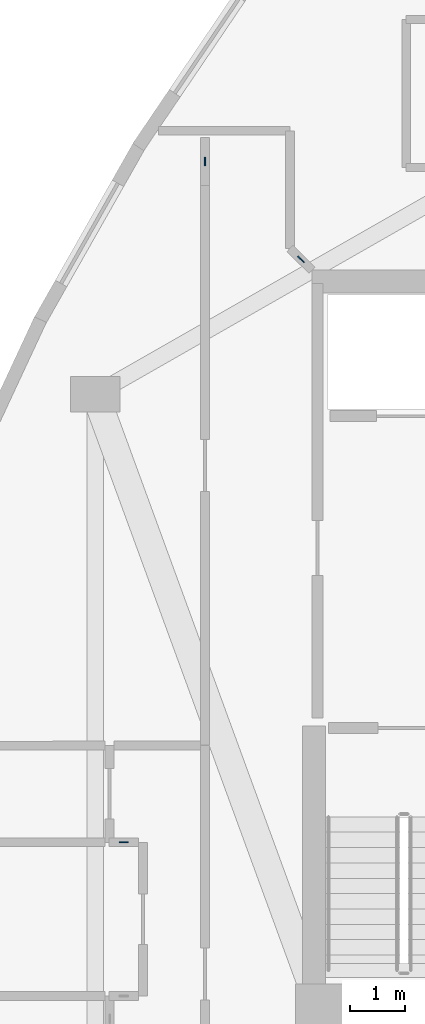
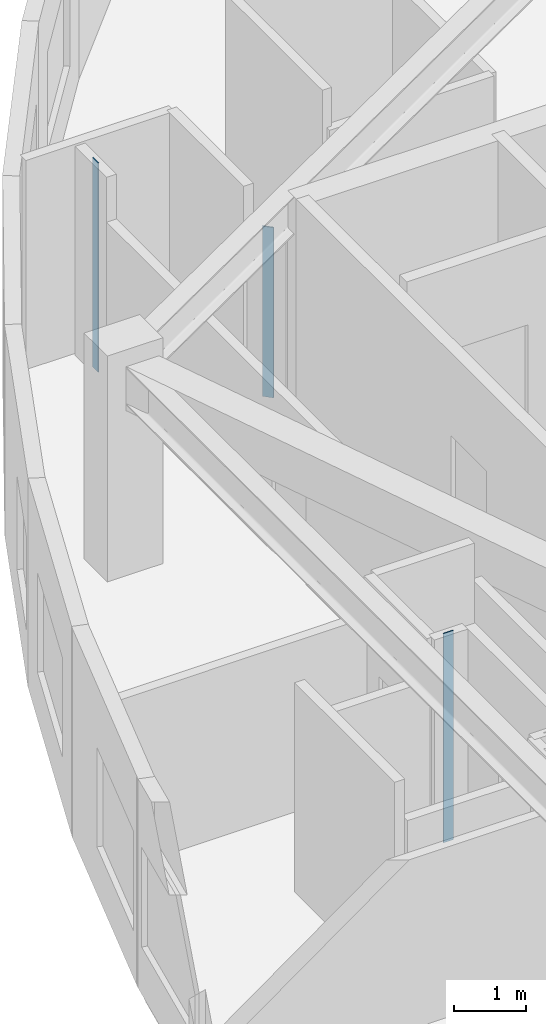
# One storey, part 4 of 13: 3 plates.
"""IFC4 building model written with IfcOpenShell, lengths in metres."""

from ifc_helpers import new_model, si_unit, direction, frame, origin, origin_2d, place, context, subcontext, project, spatial, rectangle, extrude, material, layer, layer_set, type_object, element, save


model = new_model("IFC4")

# Units and contexts
model_context = context("Model", 3, precision=1e-05, world=origin(), true_north=direction((0.0, 1.0)))
body_context = subcontext(model_context, "Body", "Model", "MODEL_VIEW")
ifc_project = project(units=[si_unit("LENGTHUNIT", "METRE"), si_unit("AREAUNIT", "SQUARE_METRE"), si_unit("VOLUMEUNIT", "CUBIC_METRE"), si_unit("PLANEANGLEUNIT", "RADIAN"), si_unit("MASSUNIT", "GRAM", prefix="KILO")], contexts=[model_context])

# Site, building, storey
site_placement = place(None, origin())
site = spatial("IfcSite", under=ifc_project, at=site_placement, CompositionType="ELEMENT")
building_placement = place(site_placement, origin())
building = spatial("IfcBuilding", under=site, at=building_placement, Name="Miruveldt Soraemaru", CompositionType="ELEMENT")
storey_placement = place(building_placement, frame((0.0, 0.0, 252.0)))
storey = spatial("IfcBuildingStorey", under=building, at=storey_placement, Name="L69", CompositionType="ELEMENT", Elevation=252.0)

# Plates
ifc_material = material(Name="Anodised aluminium EN AW-6063 T6", Category="aluminium")
ifc_layer = layer(ifc_material, 0.02001953125, Name="Anodised aluminium EN AW-6063 T6", Category="aluminium")
ifc_layer_set = layer_set([ifc_layer], Name="Anodised aluminium EN AW-6063 T6")
plate_type = type_object("IfcPlateType", Name="PLT-PART-TRIM", PredefinedType="SHEET", material=ifc_layer_set)
plate_1_placement = place(storey_placement, frame((33.39990234375, 54.639892578125, 0.0), z_axis=(0.0, 0.0, 1.0), x_axis=(0.0, -1.0, 0.0)))
element("IfcPlate", 1, at=plate_1_placement, inside=storey, type_object=plate_type, Name="L69 Partition Step Corner Trim Plate 003", PredefinedType="SHEET", context=body_context, shape_type="SweptSolid", body=[
    extrude(rectangle(XDim=0.159912109375, YDim=0.02001953125, at=origin_2d()), origin(), (0.0, 0.0, 1.0), 3.56494140625),
])
plate_2_placement = place(storey_placement, frame((35.14990234375, 52.85791015625, 0.0), z_axis=(0.0, 0.0, 1.0), x_axis=(0.710676697512, -0.703518750008, 0.0)))
element("IfcPlate", 2, at=plate_2_placement, inside=storey, type_object=plate_type, Name="L69 Partition Step Corner Trim Plate 002", PredefinedType="SHEET", context=body_context, shape_type="SweptSolid", body=[
    extrude(rectangle(XDim=0.159912109375, YDim=0.02001953125, at=origin_2d()), origin(), (0.0, 0.0, 1.0), 2.903076171875),
])
plate_3_placement = place(storey_placement, frame((31.922607421875, 42.235107421875, 0.0), z_axis=(0.0, 0.0, 1.0), x_axis=(-1.0, 0.0, 0.0)))
element("IfcPlate", 3, at=plate_3_placement, inside=storey, type_object=plate_type, Name="L69 Partition Step Corner Trim Plate 031", PredefinedType="SHEET", context=body_context, shape_type="SweptSolid", body=[
    extrude(rectangle(XDim=0.159912109375, YDim=0.02001953125, at=origin_2d()), origin(), (0.0, 0.0, 1.0), 3.56494140625),
])

save(model, "model.ifc")
